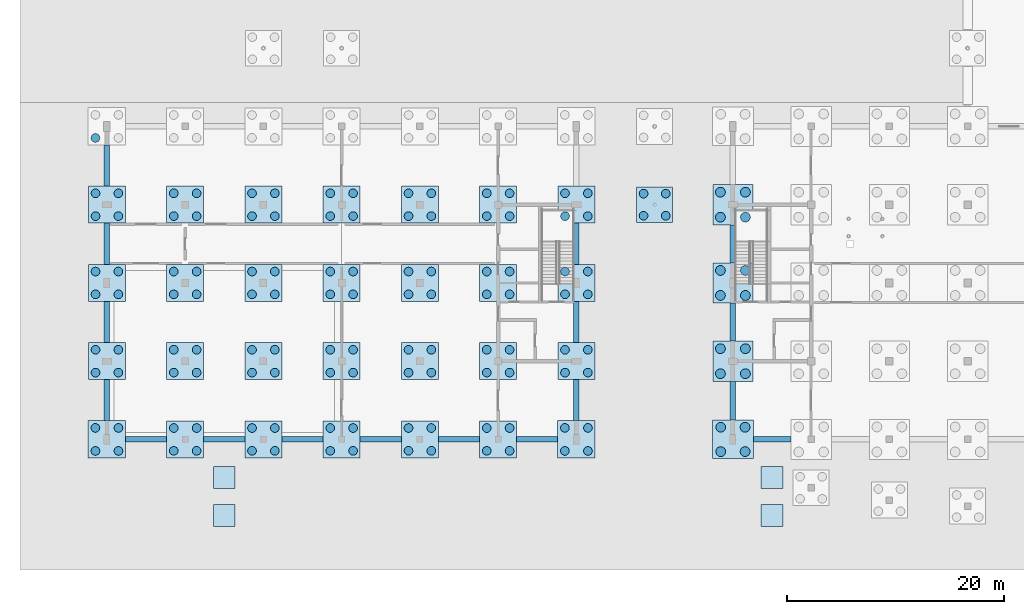
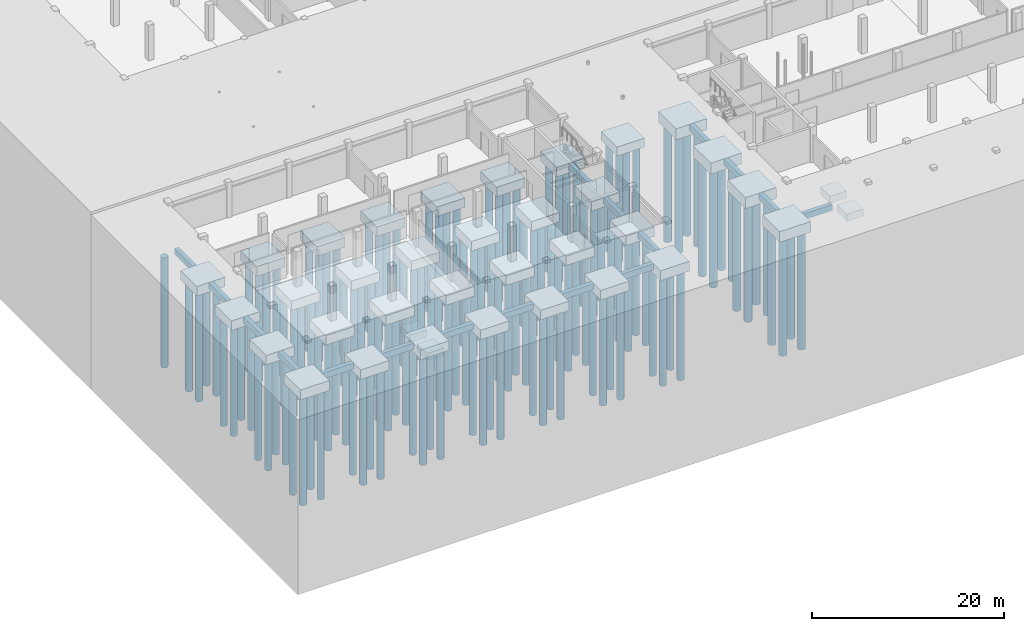
# One storey, part 1 of 51: 133 piles, 54 footings.
"""IFC4 building model written with IfcOpenShell, lengths in metres."""

from ifc_helpers import new_model, si_unit, direction, frame, origin, origin_2d, place, context, subcontext, project, spatial, rectangle, circle, extrude, material, material_profile, profile_set, type_object, element, save


model = new_model("IFC4")

# Units and contexts
model_context = context("Model", 3, precision=1e-05, world=origin(), true_north=direction((0.0, 1.0)))
body_context = subcontext(model_context, "Body", "Model", "MODEL_VIEW")
ifc_project = project(units=[si_unit("LENGTHUNIT", "METRE"), si_unit("AREAUNIT", "SQUARE_METRE"), si_unit("VOLUMEUNIT", "CUBIC_METRE"), si_unit("PLANEANGLEUNIT", "RADIAN"), si_unit("MASSUNIT", "GRAM", prefix="KILO")], contexts=[model_context])

# Site, building, storey
site_placement = place(None, origin())
site = spatial("IfcSite", under=ifc_project, at=site_placement, CompositionType="ELEMENT")
building_placement = place(site_placement, origin())
building = spatial("IfcBuilding", under=site, at=building_placement, Name="Zlatovets Crest Museum", CompositionType="ELEMENT")
storey_placement = place(building_placement, frame((0.0, 0.0, -4.5)))
storey = spatial("IfcBuildingStorey", under=building, at=storey_placement, Name="B1", CompositionType="ELEMENT", Elevation=-4.5)

# Piles
ifc_material = material(Name="Concrete C35/45", Category="concrete")
ifc_material_profile_1 = material_profile(ifc_material, circle(Radius=0.39990234375, at=origin_2d()), Name="PILE D800")
ifc_profile_set_1 = profile_set([ifc_material_profile_1], Name="Concrete C35/45")
pile_type_1 = type_object("IfcPileType", Name="BoredPile_PL-01", PredefinedType="BORED", material=ifc_profile_set_1)
for number, where, z_axis, x_axis, name in (
    (1, (-1.06005859375, -1.06005859375, -1.5), (0.0, 0.0, -1.0), (1.0, 0.0, 0.0), "Bored pile PL-01 V3-X00Y00.1"),
    (2, (-1.06005859375, 1.06005859375, -1.5), (0.0, 0.0, -1.0), (1.0, 0.0, 0.0), "Bored pile PL-01 V3-X00Y00.2"),
    (3, (1.06005859375, -1.06005859375, -1.5), (0.0, 0.0, -1.0), (1.0, 0.0, 0.0), "Bored pile PL-01 V3-X00Y00.3"),
    (4, (1.06005859375, 1.06005859375, -1.5), (0.0, 0.0, -1.0), (1.0, 0.0, 0.0), "Bored pile PL-01 V3-X00Y00.4"),
    (5, (-1.050048828125, 6.14990234375, -1.449951171875), (0.0, 0.0, -1.0), (1.0, 0.0, 0.0), "Bored pile PL-01 V3-X00Y01.1"),
    (6, (-1.050048828125, 8.25, -1.449951171875), (0.0, 0.0, -1.0), (1.0, 0.0, 0.0), "Bored pile PL-01 V3-X00Y01.2"),
    (7, (1.050048828125, 6.14990234375, -1.449951171875), (0.0, 0.0, -1.0), (1.0, 0.0, 0.0), "Bored pile PL-01 V3-X00Y01.3"),
    (8, (1.050048828125, 8.25, -1.449951171875), (0.0, 0.0, -1.0), (1.0, 0.0, 0.0), "Bored pile PL-01 V3-X00Y01.4"),
    (9, (-1.050048828125, 13.35009765625, -1.449951171875), (0.0, 0.0, -1.0), (1.0, 0.0, 0.0), "Bored pile PL-01 V3-X00Y02.1"),
    (10, (-1.050048828125, 15.449951171875, -1.449951171875), (0.0, 0.0, -1.0), (1.0, 0.0, 0.0), "Bored pile PL-01 V3-X00Y02.2"),
    (11, (1.050048828125, 13.35009765625, -1.449951171875), (0.0, 0.0, -1.0), (1.0, 0.0, 0.0), "Bored pile PL-01 V3-X00Y02.3"),
    (12, (1.050048828125, 15.449951171875, -1.449951171875), (0.0, 0.0, -1.0), (1.0, 0.0, 0.0), "Bored pile PL-01 V3-X00Y02.4"),
    (13, (-1.050048828125, 20.550048828125, -1.449951171875), (0.0, 0.0, -1.0), (1.0, 0.0, 0.0), "Bored pile PL-01 V3-X00Y03.1"),
    (14, (-1.050048828125, 22.64990234375, -1.449951171875), (0.0, 0.0, -1.0), (1.0, 0.0, 0.0), "Bored pile PL-01 V3-X00Y03.2"),
    (15, (1.050048828125, 20.550048828125, -1.449951171875), (0.0, 0.0, -1.0), (1.0, 0.0, 0.0), "Bored pile PL-01 V3-X00Y03.3"),
    (16, (1.050048828125, 22.64990234375, -1.449951171875), (0.0, 0.0, -1.0), (1.0, 0.0, 0.0), "Bored pile PL-01 V3-X00Y03.4"),
    (17, (-1.06005859375, 27.739990234375, -1.5), (0.0, 0.0, -1.0), (1.0, 0.0, 0.0), "Bored pile PL-01 V3-X00Y04.1"),
    (18, (6.14990234375, -1.050048828125, -1.449951171875), (0.0, 0.0, -1.0), (1.0, 0.0, 0.0), "Bored pile PL-01 V3-X01Y00.1"),
    (19, (6.14990234375, 1.050048828125, -1.449951171875), (0.0, 0.0, -1.0), (1.0, 0.0, 0.0), "Bored pile PL-01 V3-X01Y00.2"),
    (20, (8.25, -1.050048828125, -1.449951171875), (0.0, 0.0, -1.0), (1.0, 0.0, 0.0), "Bored pile PL-01 V3-X01Y00.3"),
    (21, (8.25, 1.050048828125, -1.449951171875), (0.0, 0.0, -1.0), (1.0, 0.0, 0.0), "Bored pile PL-01 V3-X01Y00.4"),
    (22, (6.14990234375, 6.14990234375, -1.449951171875), (0.0, 0.0, -1.0), (1.0, 0.0, 0.0), "Bored pile PL-01 V3-X01Y01.1"),
    (23, (6.14990234375, 8.25, -1.449951171875), (0.0, 0.0, -1.0), (1.0, 0.0, 0.0), "Bored pile PL-01 V3-X01Y01.2"),
    (24, (8.25, 6.14990234375, -1.449951171875), (0.0, 0.0, -1.0), (1.0, 0.0, 0.0), "Bored pile PL-01 V3-X01Y01.3"),
    (25, (8.25, 8.25, -1.449951171875), (0.0, 0.0, -1.0), (1.0, 0.0, 0.0), "Bored pile PL-01 V3-X01Y01.4"),
    (26, (6.14990234375, 13.35009765625, -1.449951171875), (0.0, 0.0, -1.0), (1.0, 0.0, 0.0), "Bored pile PL-01 V3-X01Y02.1"),
    (27, (6.14990234375, 15.449951171875, -1.449951171875), (0.0, 0.0, -1.0), (1.0, 0.0, 0.0), "Bored pile PL-01 V3-X01Y02.2"),
    (28, (8.25, 13.35009765625, -1.449951171875), (0.0, 0.0, -1.0), (1.0, 0.0, 0.0), "Bored pile PL-01 V3-X01Y02.3"),
    (29, (8.25, 15.449951171875, -1.449951171875), (0.0, 0.0, -1.0), (1.0, 0.0, 0.0), "Bored pile PL-01 V3-X01Y02.4"),
    (30, (6.14990234375, 20.550048828125, -1.449951171875), (0.0, 0.0, -1.0), (1.0, 0.0, 0.0), "Bored pile PL-01 V3-X01Y03.1"),
    (31, (6.14990234375, 22.64990234375, -1.449951171875), (0.0, 0.0, -1.0), (1.0, 0.0, 0.0), "Bored pile PL-01 V3-X01Y03.2"),
    (32, (8.25, 20.550048828125, -1.449951171875), (0.0, 0.0, -1.0), (1.0, 0.0, 0.0), "Bored pile PL-01 V3-X01Y03.3"),
    (33, (8.25, 22.64990234375, -1.449951171875), (0.0, 0.0, -1.0), (1.0, 0.0, 0.0), "Bored pile PL-01 V3-X01Y03.4"),
    (34, (13.35009765625, -1.050048828125, -1.449951171875), (0.0, 0.0, -1.0), (1.0, 0.0, 0.0), "Bored pile PL-01 V3-X02Y00.1"),
    (35, (13.35009765625, 1.050048828125, -1.449951171875), (0.0, 0.0, -1.0), (1.0, 0.0, 0.0), "Bored pile PL-01 V3-X02Y00.2"),
    (36, (15.449951171875, -1.050048828125, -1.449951171875), (0.0, 0.0, -1.0), (1.0, 0.0, 0.0), "Bored pile PL-01 V3-X02Y00.3"),
    (37, (15.449951171875, 1.050048828125, -1.449951171875), (0.0, 0.0, -1.0), (1.0, 0.0, 0.0), "Bored pile PL-01 V3-X02Y00.4"),
    (38, (13.35009765625, 6.14990234375, -1.449951171875), (0.0, 0.0, -1.0), (1.0, 0.0, 0.0), "Bored pile PL-01 V3-X02Y01.1"),
    (39, (13.35009765625, 8.25, -1.449951171875), (0.0, 0.0, -1.0), (1.0, 0.0, 0.0), "Bored pile PL-01 V3-X02Y01.2"),
    (40, (15.449951171875, 6.14990234375, -1.449951171875), (0.0, 0.0, -1.0), (1.0, 0.0, 0.0), "Bored pile PL-01 V3-X02Y01.3"),
    (41, (15.449951171875, 8.25, -1.449951171875), (0.0, 0.0, -1.0), (1.0, 0.0, 0.0), "Bored pile PL-01 V3-X02Y01.4"),
    (42, (13.35009765625, 13.35009765625, -1.449951171875), (0.0, 0.0, -1.0), (1.0, 0.0, 0.0), "Bored pile PL-01 V3-X02Y02.1"),
    (43, (13.35009765625, 15.449951171875, -1.449951171875), (0.0, 0.0, -1.0), (1.0, 0.0, 0.0), "Bored pile PL-01 V3-X02Y02.2"),
    (44, (15.449951171875, 13.35009765625, -1.449951171875), (0.0, 0.0, -1.0), (1.0, 0.0, 0.0), "Bored pile PL-01 V3-X02Y02.3"),
    (45, (15.449951171875, 15.449951171875, -1.449951171875), (0.0, 0.0, -1.0), (1.0, 0.0, 0.0), "Bored pile PL-01 V3-X02Y02.4"),
    (46, (13.35009765625, 20.550048828125, -1.449951171875), (0.0, 0.0, -1.0), (1.0, 0.0, 0.0), "Bored pile PL-01 V3-X02Y03.1"),
    (47, (13.35009765625, 22.64990234375, -1.449951171875), (0.0, 0.0, -1.0), (1.0, 0.0, 0.0), "Bored pile PL-01 V3-X02Y03.2"),
    (48, (15.449951171875, 20.550048828125, -1.449951171875), (0.0, 0.0, -1.0), (1.0, 0.0, 0.0), "Bored pile PL-01 V3-X02Y03.3"),
    (49, (15.449951171875, 22.64990234375, -1.449951171875), (0.0, 0.0, -1.0), (1.0, 0.0, 0.0), "Bored pile PL-01 V3-X02Y03.4"),
    (50, (20.550048828125, -1.050048828125, -1.449951171875), (0.0, 0.0, -1.0), (1.0, 0.0, 0.0), "Bored pile PL-01 V3-X03Y00.1"),
    (51, (20.550048828125, 1.050048828125, -1.449951171875), (0.0, 0.0, -1.0), (1.0, 0.0, 0.0), "Bored pile PL-01 V3-X03Y00.2"),
    (52, (22.64990234375, -1.050048828125, -1.449951171875), (0.0, 0.0, -1.0), (1.0, 0.0, 0.0), "Bored pile PL-01 V3-X03Y00.3"),
    (53, (22.64990234375, 1.050048828125, -1.449951171875), (0.0, 0.0, -1.0), (1.0, 0.0, 0.0), "Bored pile PL-01 V3-X03Y00.4"),
    (54, (20.550048828125, 6.14990234375, -1.449951171875), (0.0, 0.0, -1.0), (1.0, 0.0, 0.0), "Bored pile PL-01 V3-X03Y01.1"),
    (55, (20.550048828125, 8.25, -1.449951171875), (0.0, 0.0, -1.0), (1.0, 0.0, 0.0), "Bored pile PL-01 V3-X03Y01.2"),
    (56, (22.64990234375, 6.14990234375, -1.449951171875), (0.0, 0.0, -1.0), (1.0, 0.0, 0.0), "Bored pile PL-01 V3-X03Y01.3"),
    (57, (22.64990234375, 8.25, -1.449951171875), (0.0, 0.0, -1.0), (1.0, 0.0, 0.0), "Bored pile PL-01 V3-X03Y01.4"),
    (58, (20.550048828125, 13.35009765625, -1.449951171875), (0.0, 0.0, -1.0), (1.0, 0.0, 0.0), "Bored pile PL-01 V3-X03Y02.1"),
    (59, (20.550048828125, 15.449951171875, -1.449951171875), (0.0, 0.0, -1.0), (1.0, 0.0, 0.0), "Bored pile PL-01 V3-X03Y02.2"),
    (60, (22.64990234375, 13.35009765625, -1.449951171875), (0.0, 0.0, -1.0), (1.0, 0.0, 0.0), "Bored pile PL-01 V3-X03Y02.3"),
    (61, (22.64990234375, 15.449951171875, -1.449951171875), (0.0, 0.0, -1.0), (1.0, 0.0, 0.0), "Bored pile PL-01 V3-X03Y02.4"),
    (62, (20.550048828125, 20.550048828125, -1.449951171875), (0.0, 0.0, -1.0), (1.0, 0.0, 0.0), "Bored pile PL-01 V3-X03Y03.1"),
    (63, (20.550048828125, 22.64990234375, -1.449951171875), (0.0, 0.0, -1.0), (1.0, 0.0, 0.0), "Bored pile PL-01 V3-X03Y03.2"),
    (64, (22.64990234375, 20.550048828125, -1.449951171875), (0.0, 0.0, -1.0), (1.0, 0.0, 0.0), "Bored pile PL-01 V3-X03Y03.3"),
    (65, (22.64990234375, 22.64990234375, -1.449951171875), (0.0, 0.0, -1.0), (1.0, 0.0, 0.0), "Bored pile PL-01 V3-X03Y03.4"),
    (66, (27.75, -1.050048828125, -1.449951171875), (0.0, 0.0, -1.0), (1.0, 0.0, 0.0), "Bored pile PL-01 V3-X04Y00.1"),
    (67, (27.75, 1.050048828125, -1.449951171875), (0.0, 0.0, -1.0), (1.0, 0.0, 0.0), "Bored pile PL-01 V3-X04Y00.2"),
    (68, (29.85009765625, -1.050048828125, -1.449951171875), (0.0, 0.0, -1.0), (1.0, 0.0, 0.0), "Bored pile PL-01 V3-X04Y00.3"),
    (69, (29.85009765625, 1.050048828125, -1.449951171875), (0.0, 0.0, -1.0), (1.0, 0.0, 0.0), "Bored pile PL-01 V3-X04Y00.4"),
    (70, (27.75, 6.14990234375, -1.449951171875), (0.0, 0.0, -1.0), (1.0, 0.0, 0.0), "Bored pile PL-01 V3-X04Y01.1"),
    (71, (27.75, 8.25, -1.449951171875), (0.0, 0.0, -1.0), (1.0, 0.0, 0.0), "Bored pile PL-01 V3-X04Y01.2"),
    (72, (29.85009765625, 6.14990234375, -1.449951171875), (0.0, 0.0, -1.0), (1.0, 0.0, 0.0), "Bored pile PL-01 V3-X04Y01.3"),
    (73, (29.85009765625, 8.25, -1.449951171875), (0.0, 0.0, -1.0), (1.0, 0.0, 0.0), "Bored pile PL-01 V3-X04Y01.4"),
    (74, (27.75, 13.35009765625, -1.449951171875), (0.0, 0.0, -1.0), (1.0, 0.0, 0.0), "Bored pile PL-01 V3-X04Y02.1"),
    (75, (27.75, 15.449951171875, -1.449951171875), (0.0, 0.0, -1.0), (1.0, 0.0, 0.0), "Bored pile PL-01 V3-X04Y02.2"),
    (76, (29.85009765625, 13.35009765625, -1.449951171875), (0.0, 0.0, -1.0), (1.0, 0.0, 0.0), "Bored pile PL-01 V3-X04Y02.3"),
    (77, (29.85009765625, 15.449951171875, -1.449951171875), (0.0, 0.0, -1.0), (1.0, 0.0, 0.0), "Bored pile PL-01 V3-X04Y02.4"),
    (78, (27.75, 20.550048828125, -1.449951171875), (0.0, 0.0, -1.0), (1.0, 0.0, 0.0), "Bored pile PL-01 V3-X04Y03.1"),
    (79, (27.75, 22.64990234375, -1.449951171875), (0.0, 0.0, -1.0), (1.0, 0.0, 0.0), "Bored pile PL-01 V3-X04Y03.2"),
    (80, (29.85009765625, 20.550048828125, -1.449951171875), (0.0, 0.0, -1.0), (1.0, 0.0, 0.0), "Bored pile PL-01 V3-X04Y03.3"),
    (81, (29.85009765625, 22.64990234375, -1.449951171875), (0.0, 0.0, -1.0), (1.0, 0.0, 0.0), "Bored pile PL-01 V3-X04Y03.4"),
    (82, (34.949951171875, -1.050048828125, -1.449951171875), (0.0, 0.0, -1.0), (1.0, 0.0, 0.0), "Bored pile PL-01 V3-X05Y00.1"),
    (83, (34.949951171875, 1.050048828125, -1.449951171875), (0.0, 0.0, -1.0), (1.0, 0.0, 0.0), "Bored pile PL-01 V3-X05Y00.2"),
    (84, (37.050048828125, -1.050048828125, -1.449951171875), (0.0, 0.0, -1.0), (1.0, 0.0, 0.0), "Bored pile PL-01 V3-X05Y00.3"),
    (85, (37.050048828125, 1.050048828125, -1.449951171875), (0.0, 0.0, -1.0), (1.0, 0.0, 0.0), "Bored pile PL-01 V3-X05Y00.4"),
    (86, (34.949951171875, 6.14990234375, -1.449951171875), (0.0, 0.0, -1.0), (1.0, 0.0, 0.0), "Bored pile PL-01 V3-X05Y01.1"),
    (87, (34.949951171875, 8.25, -1.449951171875), (0.0, 0.0, -1.0), (1.0, 0.0, 0.0), "Bored pile PL-01 V3-X05Y01.2"),
    (88, (37.050048828125, 6.14990234375, -1.449951171875), (0.0, 0.0, -1.0), (1.0, 0.0, 0.0), "Bored pile PL-01 V3-X05Y01.3"),
    (89, (37.050048828125, 8.25, -1.449951171875), (0.0, 0.0, -1.0), (1.0, 0.0, 0.0), "Bored pile PL-01 V3-X05Y01.4"),
    (90, (34.949951171875, 13.35009765625, -1.449951171875), (0.0, 0.0, -1.0), (1.0, 0.0, 0.0), "Bored pile PL-01 V3-X05Y02.1"),
    (91, (34.949951171875, 15.449951171875, -1.449951171875), (0.0, 0.0, -1.0), (1.0, 0.0, 0.0), "Bored pile PL-01 V3-X05Y02.2"),
    (92, (37.050048828125, 13.35009765625, -1.449951171875), (0.0, 0.0, -1.0), (1.0, 0.0, 0.0), "Bored pile PL-01 V3-X05Y02.3"),
    (93, (37.050048828125, 15.449951171875, -1.449951171875), (0.0, 0.0, -1.0), (1.0, 0.0, 0.0), "Bored pile PL-01 V3-X05Y02.4"),
    (94, (34.949951171875, 20.550048828125, -1.449951171875), (0.0, 0.0, -1.0), (1.0, 0.0, 0.0), "Bored pile PL-01 V3-X05Y03.1"),
    (95, (34.949951171875, 22.64990234375, -1.449951171875), (0.0, 0.0, -1.0), (1.0, 0.0, 0.0), "Bored pile PL-01 V3-X05Y03.2"),
    (96, (37.050048828125, 20.550048828125, -1.449951171875), (0.0, 0.0, -1.0), (1.0, 0.0, 0.0), "Bored pile PL-01 V3-X05Y03.3"),
    (97, (37.050048828125, 22.64990234375, -1.449951171875), (0.0, 0.0, -1.0), (1.0, 0.0, 0.0), "Bored pile PL-01 V3-X05Y03.4"),
    (98, (42.139892578125, -1.06005859375, -1.5), (0.0, 0.0, -1.0), (1.0, 0.0, 0.0), "Bored pile PL-01 V3-X06Y00.1"),
    (99, (42.139892578125, 1.06005859375, -1.5), (0.0, 0.0, -1.0), (1.0, 0.0, 0.0), "Bored pile PL-01 V3-X06Y00.2"),
    (100, (44.260009765625, -1.06005859375, -1.5), (0.0, 0.0, -1.0), (1.0, 0.0, 0.0), "Bored pile PL-01 V3-X06Y00.3"),
    (101, (44.260009765625, 1.06005859375, -1.5), (0.0, 0.0, -1.0), (1.0, 0.0, 0.0), "Bored pile PL-01 V3-X06Y00.4"),
    (102, (42.14990234375, 6.14990234375, -1.449951171875), (0.0, 0.0, -1.0), (1.0, 0.0, 0.0), "Bored pile PL-01 V3-X06Y01.1"),
    (103, (42.14990234375, 8.25, -1.449951171875), (0.0, 0.0, -1.0), (1.0, 0.0, 0.0), "Bored pile PL-01 V3-X06Y01.2"),
    (104, (44.25, 6.14990234375, -1.449951171875), (0.0, 0.0, -1.0), (1.0, 0.0, 0.0), "Bored pile PL-01 V3-X06Y01.3"),
    (105, (44.25, 8.25, -1.449951171875), (0.0, 0.0, -1.0), (1.0, 0.0, 0.0), "Bored pile PL-01 V3-X06Y01.4"),
    (106, (42.14990234375, 13.35009765625, -1.449951171875), (0.0, 0.0, -1.0), (1.0, 0.0, 0.0), "Bored pile PL-01 V3-X06Y02.1"),
    (107, (42.14990234375, 15.449951171875, -1.449951171875), (0.0, 0.0, -1.0), (1.0, 0.0, 0.0), "Bored pile PL-01 V3-X06Y02.2"),
    (108, (44.25, 13.35009765625, -1.449951171875), (0.0, 0.0, -1.0), (1.0, 0.0, 0.0), "Bored pile PL-01 V3-X06Y02.3"),
    (109, (44.25, 15.449951171875, -1.449951171875), (0.0, 0.0, -1.0), (1.0, 0.0, 0.0), "Bored pile PL-01 V3-X06Y02.4"),
    (110, (42.14990234375, 20.550048828125, -1.449951171875), (0.0, 0.0, -1.0), (1.0, 0.0, 0.0), "Bored pile PL-01 V3-X06Y03.1"),
    (111, (42.14990234375, 22.64990234375, -1.449951171875), (0.0, 0.0, -1.0), (1.0, 0.0, 0.0), "Bored pile PL-01 V3-X06Y03.2"),
    (112, (44.25, 20.550048828125, -1.449951171875), (0.0, 0.0, -1.0), (1.0, 0.0, 0.0), "Bored pile PL-01 V3-X06Y03.3"),
    (113, (44.25, 22.64990234375, -1.449951171875), (0.0, 0.0, -1.0), (1.0, 0.0, 0.0), "Bored pile PL-01 V3-X06Y03.4"),
    (114, (49.3798828125, 20.580078125, -1.39990234375), (0.0, 0.0, -1.0), (1.0, 0.0, 0.0), "Bored pile PL-01 BR1-S1T0.1"),
    (115, (49.3798828125, 22.6201171875, -1.39990234375), (0.0, 0.0, -1.0), (1.0, 0.0, 0.0), "Bored pile PL-01 BR1-S1T0.2"),
    (116, (51.419921875, 20.580078125, -1.39990234375), (0.0, 0.0, -1.0), (1.0, 0.0, 0.0), "Bored pile PL-01 BR1-S1T0.3"),
    (117, (51.419921875, 22.6201171875, -1.39990234375), (0.0, 0.0, -1.0), (1.0, 0.0, 0.0), "Bored pile PL-01 BR1-S1T0.4"),
):
    element("IfcPile", number, at=place(storey_placement, frame(where, z_axis=z_axis, x_axis=x_axis)), inside=storey, type_object=pile_type_1, Name=name, PredefinedType="BORED", context=body_context, shape_type="SweptSolid", body=[
        extrude(circle(Radius=0.39990234375, at=origin_2d()), origin(), (0.0, 0.0, 1.0), 14.0),
    ])
ifc_material_profile_2 = material_profile(ifc_material, circle(Radius=0.449951171875, at=origin_2d()), Name="PILE D900")
ifc_profile_set_2 = profile_set([ifc_material_profile_2], Name="Concrete C35/45")
pile_type_2 = type_object("IfcPileType", Name="BoredPile_PL-02", PredefinedType="BORED", material=ifc_profile_set_2)
for number, where, z_axis, x_axis, name in (
    (118, (56.47998046875, -1.1201171875, -1.60009765625), (0.0, 0.0, -1.0), (1.0, 0.0, 0.0), "Bored pile PL-02 V2-X00Y00.1"),
    (119, (56.47998046875, 1.1201171875, -1.60009765625), (0.0, 0.0, -1.0), (1.0, 0.0, 0.0), "Bored pile PL-02 V2-X00Y00.2"),
    (120, (58.719970703125, -1.1201171875, -1.60009765625), (0.0, 0.0, -1.0), (1.0, 0.0, 0.0), "Bored pile PL-02 V2-X00Y00.3"),
    (121, (58.719970703125, 1.1201171875, -1.60009765625), (0.0, 0.0, -1.0), (1.0, 0.0, 0.0), "Bored pile PL-02 V2-X00Y00.4"),
    (122, (56.449951171875, 6.050048828125, -1.64990234375), (0.0, 0.0, -1.0), (1.0, 0.0, 0.0), "Bored pile PL-02 V2-X00Y01.1"),
    (123, (56.449951171875, 8.35009765625, -1.64990234375), (0.0, 0.0, -1.0), (1.0, 0.0, 0.0), "Bored pile PL-02 V2-X00Y01.2"),
    (124, (58.75, 6.050048828125, -1.64990234375), (0.0, 0.0, -1.0), (1.0, 0.0, 0.0), "Bored pile PL-02 V2-X00Y01.3"),
    (125, (58.75, 8.35009765625, -1.64990234375), (0.0, 0.0, -1.0), (1.0, 0.0, 0.0), "Bored pile PL-02 V2-X00Y01.4"),
    (126, (56.449951171875, 13.25, -1.64990234375), (0.0, 0.0, -1.0), (1.0, 0.0, 0.0), "Bored pile PL-02 V2-X00Y02.1"),
    (127, (56.449951171875, 15.550048828125, -1.64990234375), (0.0, 0.0, -1.0), (1.0, 0.0, 0.0), "Bored pile PL-02 V2-X00Y02.2"),
    (128, (58.75, 13.25, -1.64990234375), (0.0, 0.0, -1.0), (1.0, 0.0, 0.0), "Bored pile PL-02 V2-X00Y02.3"),
    (129, (58.75, 15.550048828125, -1.64990234375), (0.0, 0.0, -1.0), (1.0, 0.0, 0.0), "Bored pile PL-02 V2-X00Y02.4"),
    (130, (56.449951171875, 20.449951171875, -1.64990234375), (0.0, 0.0, -1.0), (1.0, 0.0, 0.0), "Bored pile PL-02 V2-X00Y03.1"),
    (131, (56.449951171875, 22.75, -1.64990234375), (0.0, 0.0, -1.0), (1.0, 0.0, 0.0), "Bored pile PL-02 V2-X00Y03.2"),
    (132, (58.75, 20.449951171875, -1.64990234375), (0.0, 0.0, -1.0), (1.0, 0.0, 0.0), "Bored pile PL-02 V2-X00Y03.3"),
    (133, (58.75, 22.75, -1.64990234375), (0.0, 0.0, -1.0), (1.0, 0.0, 0.0), "Bored pile PL-02 V2-X00Y03.4"),
):
    element("IfcPile", number, at=place(storey_placement, frame(where, z_axis=z_axis, x_axis=x_axis)), inside=storey, type_object=pile_type_2, Name=name, PredefinedType="BORED", context=body_context, shape_type="SweptSolid", body=[
        extrude(circle(Radius=0.449951171875, at=origin_2d()), origin(), (0.0, 0.0, 1.0), 15.0),
    ])

# Footings
ifc_material_profile_3 = material_profile(ifc_material, rectangle(XDim=0.5, YDim=0.75, at=origin_2d()), Name="RC 500x750")
ifc_profile_set_3 = profile_set([ifc_material_profile_3], Name="Concrete C35/45")
footing_type_1 = type_object("IfcFootingType", Name="GroundBeam_GB-01", PredefinedType="FOOTING_BEAM", material=ifc_profile_set_3)
footing_1_placement = place(storey_placement, frame((59.47509765625, 0.0, -0.824951171875), z_axis=(1.0, 0.0, 0.0), x_axis=(0.0, 1.0, 0.0)))
element("IfcFooting", 134, at=footing_1_placement, inside=storey, type_object=footing_type_1, Name="Ground tie-beam GB-01", PredefinedType="FOOTING_BEAM", context=body_context, shape_type="SweptSolid", body=[
    extrude(rectangle(XDim=0.5, YDim=0.75, at=origin_2d()), origin(), (0.0, 0.0, 1.0), 3.474853515625),
])
footing_2_placement = place(storey_placement, frame((57.60009765625, 1.77490234375, -0.824951171875), z_axis=(0.0, 1.0, 0.0), x_axis=(-1.0, 0.0, 0.0)))
element("IfcFooting", 135, at=footing_2_placement, inside=storey, type_object=footing_type_1, Name="Ground tie-beam GB-01", PredefinedType="FOOTING_BEAM", context=body_context, shape_type="SweptSolid", body=[
    extrude(rectangle(XDim=0.5, YDim=0.75, at=origin_2d()), origin(), (0.0, 0.0, 1.0), 3.5751953125),
])
for number, where, z_axis, x_axis, name in (
    (136, (57.60009765625, 9.050048828125, -0.824951171875), (0.0, 1.0, 0.0), (-1.0, 0.0, 0.0), "Ground tie-beam GB-01"),
    (137, (57.60009765625, 16.25, -0.824951171875), (0.0, 1.0, 0.0), (-1.0, 0.0, 0.0), "Ground tie-beam GB-01"),
):
    element("IfcFooting", number, at=place(storey_placement, frame(where, z_axis=z_axis, x_axis=x_axis)), inside=storey, type_object=footing_type_1, Name=name, PredefinedType="FOOTING_BEAM", context=body_context, shape_type="SweptSolid", body=[
        extrude(rectangle(XDim=0.5, YDim=0.75, at=origin_2d()), origin(), (0.0, 0.0, 1.0), 3.5),
    ])
footing_3_placement = place(storey_placement, frame((1.72509765625, 0.0, -0.824951171875), z_axis=(1.0, 0.0, 0.0), x_axis=(0.0, 1.0, 0.0)))
element("IfcFooting", 138, at=footing_3_placement, inside=storey, type_object=footing_type_1, Name="Ground tie-beam GB-01", PredefinedType="FOOTING_BEAM", context=body_context, shape_type="SweptSolid", body=[
    extrude(rectangle(XDim=0.5, YDim=0.75, at=origin_2d()), origin(), (0.0, 0.0, 1.0), 3.77490234375),
])
footing_4_placement = place(storey_placement, frame((8.89990234375, 0.0, -0.824951171875), z_axis=(1.0, 0.0, 0.0), x_axis=(0.0, 1.0, 0.0)))
element("IfcFooting", 139, at=footing_4_placement, inside=storey, type_object=footing_type_1, Name="Ground tie-beam GB-01", PredefinedType="FOOTING_BEAM", context=body_context, shape_type="SweptSolid", body=[
    extrude(rectangle(XDim=0.5, YDim=0.75, at=origin_2d()), origin(), (0.0, 0.0, 1.0), 3.800048828125),
])
footing_5_placement = place(storey_placement, frame((16.10009765625, 0.0, -0.824951171875), z_axis=(1.0, 0.0, 0.0), x_axis=(0.0, 1.0, 0.0)))
element("IfcFooting", 140, at=footing_5_placement, inside=storey, type_object=footing_type_1, Name="Ground tie-beam GB-01", PredefinedType="FOOTING_BEAM", context=body_context, shape_type="SweptSolid", body=[
    extrude(rectangle(XDim=0.5, YDim=0.75, at=origin_2d()), origin(), (0.0, 0.0, 1.0), 3.7998046875),
])
for number, where, z_axis, x_axis, name in (
    (141, (23.300048828125, 0.0, -0.824951171875), (1.0, 0.0, 0.0), (0.0, 1.0, 0.0), "Ground tie-beam GB-01"),
    (142, (30.5, 0.0, -0.824951171875), (1.0, 0.0, 0.0), (0.0, 1.0, 0.0), "Ground tie-beam GB-01"),
):
    element("IfcFooting", number, at=place(storey_placement, frame(where, z_axis=z_axis, x_axis=x_axis)), inside=storey, type_object=footing_type_1, Name=name, PredefinedType="FOOTING_BEAM", context=body_context, shape_type="SweptSolid", body=[
        extrude(rectangle(XDim=0.5, YDim=0.75, at=origin_2d()), origin(), (0.0, 0.0, 1.0), 3.800048828125),
    ])
footing_6_placement = place(storey_placement, frame((37.699951171875, 0.0, -0.824951171875), z_axis=(1.0, 0.0, 0.0), x_axis=(0.0, 1.0, 0.0)))
element("IfcFooting", 143, at=footing_6_placement, inside=storey, type_object=footing_type_1, Name="Ground tie-beam GB-01", PredefinedType="FOOTING_BEAM", context=body_context, shape_type="SweptSolid", body=[
    extrude(rectangle(XDim=0.5, YDim=0.75, at=origin_2d()), origin(), (0.0, 0.0, 1.0), 3.775146484375),
])
footing_7_placement = place(storey_placement, frame((0.0, 1.72509765625, -0.824951171875), z_axis=(0.0, 1.0, 0.0), x_axis=(-1.0, 0.0, 0.0)))
element("IfcFooting", 144, at=footing_7_placement, inside=storey, type_object=footing_type_1, Name="Ground tie-beam GB-01", PredefinedType="FOOTING_BEAM", context=body_context, shape_type="SweptSolid", body=[
    extrude(rectangle(XDim=0.5, YDim=0.75, at=origin_2d()), origin(), (0.0, 0.0, 1.0), 3.77490234375),
])
footing_8_placement = place(storey_placement, frame((0.0, 8.89990234375, -0.824951171875), z_axis=(0.0, 1.0, 0.0), x_axis=(-1.0, 0.0, 0.0)))
element("IfcFooting", 145, at=footing_8_placement, inside=storey, type_object=footing_type_1, Name="Ground tie-beam GB-01", PredefinedType="FOOTING_BEAM", context=body_context, shape_type="SweptSolid", body=[
    extrude(rectangle(XDim=0.5, YDim=0.75, at=origin_2d()), origin(), (0.0, 0.0, 1.0), 3.800048828125),
])
footing_9_placement = place(storey_placement, frame((0.0, 16.10009765625, -0.824951171875), z_axis=(0.0, 1.0, 0.0), x_axis=(-1.0, 0.0, 0.0)))
element("IfcFooting", 146, at=footing_9_placement, inside=storey, type_object=footing_type_1, Name="Ground tie-beam GB-01", PredefinedType="FOOTING_BEAM", context=body_context, shape_type="SweptSolid", body=[
    extrude(rectangle(XDim=0.5, YDim=0.75, at=origin_2d()), origin(), (0.0, 0.0, 1.0), 3.7998046875),
])
for number, where, z_axis, x_axis, name in (
    (147, (0.0, 23.300048828125, -0.824951171875), (0.0, 1.0, 0.0), (-1.0, 0.0, 0.0), "Ground tie-beam GB-01"),
    (148, (43.199951171875, 1.72509765625, -0.824951171875), (0.0, 1.0, 0.0), (-1.0, 0.0, 0.0), "Ground tie-beam GB-01"),
):
    element("IfcFooting", number, at=place(storey_placement, frame(where, z_axis=z_axis, x_axis=x_axis)), inside=storey, type_object=footing_type_1, Name=name, PredefinedType="FOOTING_BEAM", context=body_context, shape_type="SweptSolid", body=[
        extrude(rectangle(XDim=0.5, YDim=0.75, at=origin_2d()), origin(), (0.0, 0.0, 1.0), 3.77490234375),
    ])
footing_10_placement = place(storey_placement, frame((43.199951171875, 8.89990234375, -0.824951171875), z_axis=(0.0, 1.0, 0.0), x_axis=(-1.0, 0.0, 0.0)))
element("IfcFooting", 149, at=footing_10_placement, inside=storey, type_object=footing_type_1, Name="Ground tie-beam GB-01", PredefinedType="FOOTING_BEAM", context=body_context, shape_type="SweptSolid", body=[
    extrude(rectangle(XDim=0.5, YDim=0.75, at=origin_2d()), origin(), (0.0, 0.0, 1.0), 3.800048828125),
])
footing_11_placement = place(storey_placement, frame((43.199951171875, 16.10009765625, -0.824951171875), z_axis=(0.0, 1.0, 0.0), x_axis=(-1.0, 0.0, 0.0)))
element("IfcFooting", 150, at=footing_11_placement, inside=storey, type_object=footing_type_1, Name="Ground tie-beam GB-01", PredefinedType="FOOTING_BEAM", context=body_context, shape_type="SweptSolid", body=[
    extrude(rectangle(XDim=0.5, YDim=0.75, at=origin_2d()), origin(), (0.0, 0.0, 1.0), 3.7998046875),
])
footing_type_2 = type_object("IfcFootingType", Name="PadFooting_PF01", PredefinedType="PAD_FOOTING", material=ifc_material)
for number, where, z_axis, x_axis, name in (
    (151, (61.199951171875, -7.0, 3.050048828125), (0.0, 0.0, 1.0), (1.0, 0.0, 0.0), "Main Boulevard Step-Free Ramp Toe Pad Footing"),
    (152, (61.199951171875, -3.5, 3.22998046875), (0.0, 0.0, 1.0), (1.0, 0.0, 0.0), "Main Boulevard Step-Free Ramp Mid Pad Footing"),
    (153, (10.800048828125, -7.0, 3.050048828125), (0.0, 0.0, 1.0), (1.0, 0.0, 0.0), "Auditorium Forecourt Step-Free Ramp Toe Pad Footing"),
    (154, (10.800048828125, -3.5, 3.22998046875), (0.0, 0.0, 1.0), (1.0, 0.0, 0.0), "Auditorium Forecourt Step-Free Ramp Mid Pad Footing"),
):
    element("IfcFooting", number, at=place(storey_placement, frame(where, z_axis=z_axis, x_axis=x_axis)), inside=storey, type_object=footing_type_2, Name=name, PredefinedType="PAD_FOOTING", context=body_context, shape_type="SweptSolid", body=[
        extrude(rectangle(XDim=2.0, YDim=2.0, at=origin_2d()), origin(), (0.0, 0.0, 1.0), 0.89990234375),
    ])
footing_type_3 = type_object("IfcFootingType", Name="PileCap_PC-01", PredefinedType="PILE_CAP", material=ifc_material)
for number, where, z_axis, x_axis, name in (
    (155, (0.0, 7.199951171875, -1.64990234375), (0.0, 0.0, 1.0), (1.0, 0.0, 0.0), "Pile cap PC-01 at (0.0, 7.2)"),
    (156, (0.0, 14.39990234375, -1.64990234375), (0.0, 0.0, 1.0), (1.0, 0.0, 0.0), "Pile cap PC-01 at (0.0, 14.4)"),
    (157, (0.0, 21.60009765625, -1.64990234375), (0.0, 0.0, 1.0), (1.0, 0.0, 0.0), "Pile cap PC-01 at (0.0, 21.6)"),
    (158, (7.199951171875, 0.0, -1.64990234375), (0.0, 0.0, 1.0), (1.0, 0.0, 0.0), "Pile cap PC-01 at (7.2, 0.0)"),
    (159, (7.199951171875, 7.199951171875, -1.64990234375), (0.0, 0.0, 1.0), (1.0, 0.0, 0.0), "Pile cap PC-01 at (7.2, 7.2)"),
    (160, (7.199951171875, 14.39990234375, -1.64990234375), (0.0, 0.0, 1.0), (1.0, 0.0, 0.0), "Pile cap PC-01 at (7.2, 14.4)"),
    (161, (7.199951171875, 21.60009765625, -1.64990234375), (0.0, 0.0, 1.0), (1.0, 0.0, 0.0), "Pile cap PC-01 at (7.2, 21.6)"),
    (162, (14.39990234375, 0.0, -1.64990234375), (0.0, 0.0, 1.0), (1.0, 0.0, 0.0), "Pile cap PC-01 at (14.4, 0.0)"),
    (163, (14.39990234375, 7.199951171875, -1.64990234375), (0.0, 0.0, 1.0), (1.0, 0.0, 0.0), "Pile cap PC-01 at (14.4, 7.2)"),
    (164, (14.39990234375, 14.39990234375, -1.64990234375), (0.0, 0.0, 1.0), (1.0, 0.0, 0.0), "Pile cap PC-01 at (14.4, 14.4)"),
    (165, (14.39990234375, 21.60009765625, -1.64990234375), (0.0, 0.0, 1.0), (1.0, 0.0, 0.0), "Pile cap PC-01 at (14.4, 21.6)"),
    (166, (21.60009765625, 0.0, -1.64990234375), (0.0, 0.0, 1.0), (1.0, 0.0, 0.0), "Pile cap PC-01 at (21.6, 0.0)"),
    (167, (21.60009765625, 7.199951171875, -1.64990234375), (0.0, 0.0, 1.0), (1.0, 0.0, 0.0), "Pile cap PC-01 at (21.6, 7.2)"),
    (168, (21.60009765625, 14.39990234375, -1.64990234375), (0.0, 0.0, 1.0), (1.0, 0.0, 0.0), "Pile cap PC-01 at (21.6, 14.4)"),
    (169, (21.60009765625, 21.60009765625, -1.64990234375), (0.0, 0.0, 1.0), (1.0, 0.0, 0.0), "Pile cap PC-01 at (21.6, 21.6)"),
    (170, (28.800048828125, 0.0, -1.64990234375), (0.0, 0.0, 1.0), (1.0, 0.0, 0.0), "Pile cap PC-01 at (28.8, 0.0)"),
    (171, (28.800048828125, 7.199951171875, -1.64990234375), (0.0, 0.0, 1.0), (1.0, 0.0, 0.0), "Pile cap PC-01 at (28.8, 7.2)"),
    (172, (28.800048828125, 14.39990234375, -1.64990234375), (0.0, 0.0, 1.0), (1.0, 0.0, 0.0), "Pile cap PC-01 at (28.8, 14.4)"),
    (173, (28.800048828125, 21.60009765625, -1.64990234375), (0.0, 0.0, 1.0), (1.0, 0.0, 0.0), "Pile cap PC-01 at (28.8, 21.6)"),
    (174, (36.0, 0.0, -1.64990234375), (0.0, 0.0, 1.0), (1.0, 0.0, 0.0), "Pile cap PC-01 at (36.0, 0.0)"),
    (175, (36.0, 7.199951171875, -1.64990234375), (0.0, 0.0, 1.0), (1.0, 0.0, 0.0), "Pile cap PC-01 at (36.0, 7.2)"),
    (176, (36.0, 14.39990234375, -1.64990234375), (0.0, 0.0, 1.0), (1.0, 0.0, 0.0), "Pile cap PC-01 at (36.0, 14.4)"),
    (177, (36.0, 21.60009765625, -1.64990234375), (0.0, 0.0, 1.0), (1.0, 0.0, 0.0), "Pile cap PC-01 at (36.0, 21.6)"),
    (178, (43.199951171875, 7.199951171875, -1.64990234375), (0.0, 0.0, 1.0), (1.0, 0.0, 0.0), "Pile cap PC-01 at (43.2, 7.2)"),
    (179, (43.199951171875, 14.39990234375, -1.64990234375), (0.0, 0.0, 1.0), (1.0, 0.0, 0.0), "Pile cap PC-01 at (43.2, 14.4)"),
    (180, (43.199951171875, 21.60009765625, -1.64990234375), (0.0, 0.0, 1.0), (1.0, 0.0, 0.0), "Pile cap PC-01 at (43.2, 21.6)"),
):
    element("IfcFooting", number, at=place(storey_placement, frame(where, z_axis=z_axis, x_axis=x_axis)), inside=storey, type_object=footing_type_3, Name=name, PredefinedType="PILE_CAP", context=body_context, shape_type="SweptSolid", body=[
        extrude(rectangle(XDim=3.39990234375, YDim=3.39990234375, at=origin_2d()), origin(), (0.0, 0.0, 1.0), 1.199951171875),
    ])
footing_type_4 = type_object("IfcFootingType", Name="PileCap_PC-03", PredefinedType="PILE_CAP", material=ifc_material)
for number, where, z_axis, x_axis, name in (
    (181, (57.60009765625, 7.199951171875, -1.849853515625), (0.0, 0.0, 1.0), (1.0, 0.0, 0.0), "Pile cap PC-03 at (57.6, 7.2)"),
    (182, (57.60009765625, 14.39990234375, -1.849853515625), (0.0, 0.0, 1.0), (1.0, 0.0, 0.0), "Pile cap PC-03 at (57.6, 14.4)"),
    (183, (57.60009765625, 21.60009765625, -1.849853515625), (0.0, 0.0, 1.0), (1.0, 0.0, 0.0), "Pile cap PC-03 at (57.6, 21.6)"),
):
    element("IfcFooting", number, at=place(storey_placement, frame(where, z_axis=z_axis, x_axis=x_axis)), inside=storey, type_object=footing_type_4, Name=name, PredefinedType="PILE_CAP", context=body_context, shape_type="SweptSolid", body=[
        extrude(rectangle(XDim=3.699951171875, YDim=3.699951171875, at=origin_2d()), origin(), (0.0, 0.0, 1.0), 1.39990234375),
    ])
footing_type_5 = type_object("IfcFootingType", Name="PileCap_PC-05", PredefinedType="PILE_CAP", material=ifc_material)
footing_12_placement = place(storey_placement, frame((50.39990234375, 21.60009765625, -1.599853515625), z_axis=(0.0, 0.0, 1.0), x_axis=(1.0, 0.0, 0.0)))
element("IfcFooting", 184, at=footing_12_placement, inside=storey, type_object=footing_type_5, Name="Pile cap PC-05 at (50.4, 21.6)", PredefinedType="PILE_CAP", context=body_context, shape_type="SweptSolid", body=[
    extrude(rectangle(XDim=3.300048828125, YDim=3.300048828125, at=origin_2d()), origin(), (0.0, 0.0, 1.0), 1.14990234375),
])
footing_type_6 = type_object("IfcFootingType", Name="PileCap_PC-07", PredefinedType="PILE_CAP", material=ifc_material)
for number, where, z_axis, x_axis, name in (
    (185, (0.0, 0.0, -1.699951171875), (0.0, 0.0, 1.0), (1.0, 0.0, 0.0), "Pile cap PC-07 at (0.0, 0.0)"),
    (186, (43.199951171875, 0.0, -1.699951171875), (0.0, 0.0, 1.0), (1.0, 0.0, 0.0), "Pile cap PC-07 at (43.2, 0.0)"),
):
    element("IfcFooting", number, at=place(storey_placement, frame(where, z_axis=z_axis, x_axis=x_axis)), inside=storey, type_object=footing_type_6, Name=name, PredefinedType="PILE_CAP", context=body_context, shape_type="SweptSolid", body=[
        extrude(rectangle(XDim=3.449951171875, YDim=3.449951171875, at=origin_2d()), origin(), (0.0, 0.0, 1.0), 1.25),
    ])
footing_type_7 = type_object("IfcFootingType", Name="PileCap_PC-09", PredefinedType="PILE_CAP", material=ifc_material)
footing_13_placement = place(storey_placement, frame((57.60009765625, 0.0, -1.800048828125), z_axis=(0.0, 0.0, 1.0), x_axis=(1.0, 0.0, 0.0)))
element("IfcFooting", 187, at=footing_13_placement, inside=storey, type_object=footing_type_7, Name="Pile cap PC-09 at (57.6, 0.0)", PredefinedType="PILE_CAP", context=body_context, shape_type="SweptSolid", body=[
    extrude(rectangle(XDim=3.75, YDim=3.550048828125, at=origin_2d()), origin(), (0.0, 0.0, 1.0), 1.35009765625),
])

save(model, "model.ifc")
